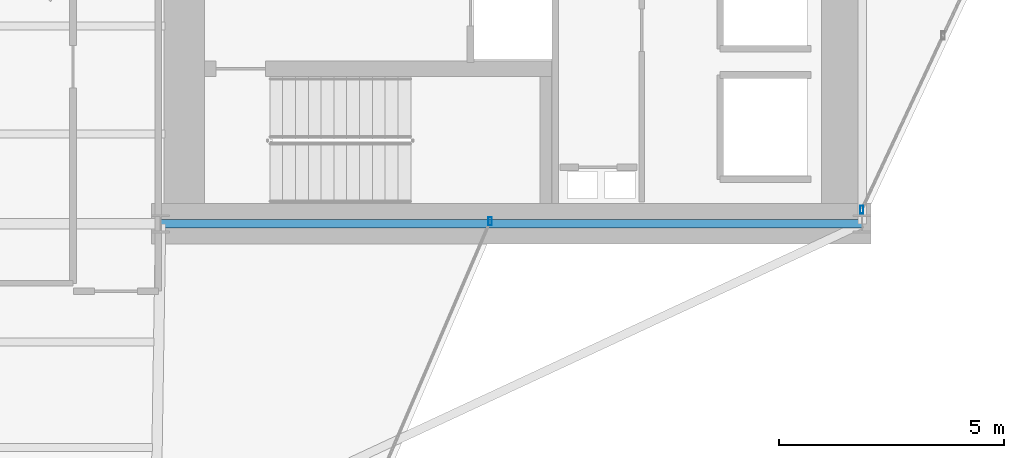
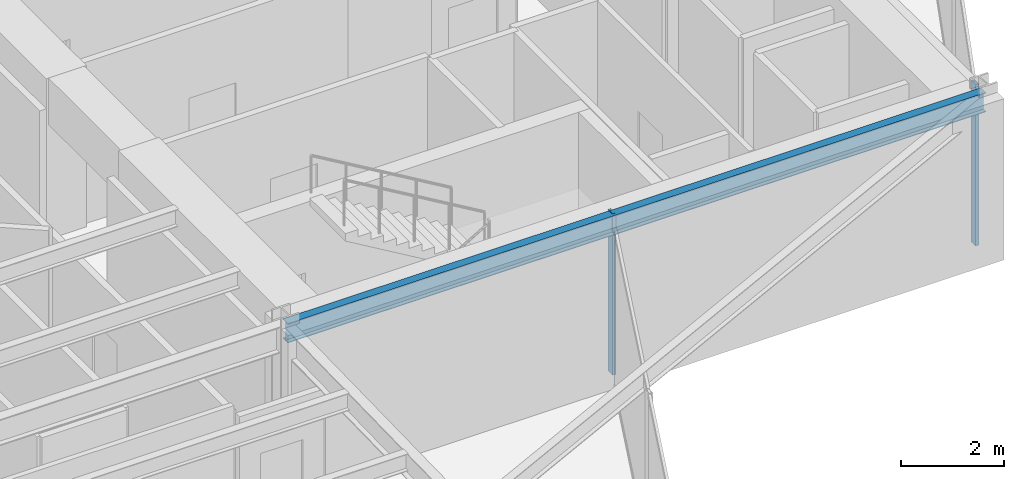
# One storey, part 13 of 27: 2 members, 1 beam, 2 elements without a shape of their own.
"""IFC4 building model written with IfcOpenShell, lengths in metres."""

from ifc_helpers import new_model, si_unit, direction, frame, origin, origin_2d, place, context, subcontext, project, spatial, hollow_rectangle, i_section, extrude, material, layer, layer_set, material_profile, profile_set, type_object, element, aggregate, save


model = new_model("IFC4")

# Units and contexts
model_context = context("Model", 3, precision=1e-05, world=origin(), true_north=direction((0.0, 1.0)))
body_context = subcontext(model_context, "Body", "Model", "MODEL_VIEW")
ifc_project = project(units=[si_unit("LENGTHUNIT", "METRE"), si_unit("AREAUNIT", "SQUARE_METRE"), si_unit("VOLUMEUNIT", "CUBIC_METRE"), si_unit("PLANEANGLEUNIT", "RADIAN"), si_unit("MASSUNIT", "GRAM", prefix="KILO")], contexts=[model_context])

# Site, building, storey
site_placement = place(None, origin())
site = spatial("IfcSite", under=ifc_project, at=site_placement, CompositionType="ELEMENT")
building_placement = place(site_placement, origin())
building = spatial("IfcBuilding", under=site, at=building_placement, Name="Veymaron Broadcast Tower", CompositionType="ELEMENT")
storey_placement = place(building_placement, frame((0.0, 0.0, 86.39990234375)))
storey = spatial("IfcBuildingStorey", under=building, at=storey_placement, Name="L19", CompositionType="ELEMENT", Elevation=86.39990234375)

# Beam
ifc_material_1 = material(Name="Structural steel ASTM A992 Gr 50", Category="steel")
ifc_material_profile_1 = material_profile(ifc_material_1, i_section(OverallWidth=0.19091796875, OverallDepth=0.4599609375, WebThickness=0.010009765625, FlangeThickness=0.01611328125, at=origin_2d()), Name="W460X82")
ifc_profile_set_1 = profile_set([ifc_material_profile_1], Name="Structural steel ASTM A992 Gr 50")
beam_type = type_object("IfcBeamType", Name="BM-SP1", PredefinedType="SPANDREL", material=ifc_profile_set_1)
beam_placement = place(storey_placement, frame((39.0, 16.0, 3.580078125), z_axis=(1.0, 0.0, 0.0), x_axis=(0.0, 1.0, 0.0)))
element("IfcBeam", 1, at=beam_placement, inside=storey, type_object=beam_type, Name="L19 primary structural floor girder", PredefinedType="SPANDREL", context=body_context, shape_type="SweptSolid", body=[
    extrude(i_section(OverallWidth=0.19091796875, OverallDepth=0.4599609375, WebThickness=0.010009765625, FlangeThickness=0.01611328125, at=origin_2d()), origin(), (0.0, 0.0, 1.0), 15.60009765625),
])

# Curtain wall, member
ifc_material_2 = material(Name="Anodised aluminium AA 6063-T6 and laminated low-E dark glass", Category="aluminium")
ifc_layer = layer(ifc_material_2, 0.179931640625)
ifc_layer_set = layer_set([ifc_layer], Name="Anodised aluminium AA 6063-T6 and laminated low-E dark glass")
curtain_wall_type = type_object("IfcCurtainWallType", Name="CW-SYS-02", PredefinedType="NOTDEFINED", material=ifc_layer_set)
curtain_wall_1_placement = place(storey_placement, origin())
curtain_wall_1 = element("IfcCurtainWall", 2, at=curtain_wall_1_placement, inside=storey, type_object=curtain_wall_type, Name="L19 dark-glass curtain wall CW-L19-E1-1", PredefinedType="NOTDEFINED")
ifc_material_3 = material(Name="Anodised aluminium AA 6063-T6", Category="aluminium")
ifc_material_profile_2 = material_profile(ifc_material_3, hollow_rectangle(XDim=0.074951171875, YDim=0.179931640625, WallThickness=0.0048828125, at=origin_2d()), Name="AL180X75X5")
ifc_profile_set_2 = profile_set([ifc_material_profile_2], Name="Anodised aluminium AA 6063-T6")
member_type = type_object("IfcMemberType", Name="CW-MUL-02", PredefinedType="MULLION", material=ifc_profile_set_2)
member_1_placement = place(storey_placement, frame((46.327880859375, 16.05517578125, 0.0), z_axis=(0.0, 0.0, 1.0), x_axis=(1.0, 0.0, 0.0)))
member_1 = element("IfcMember", 3, at=member_1_placement, type_object=member_type, Name="CW-L19-E1-1 mullion 2", PredefinedType="MULLION", context=body_context, shape_type="SweptSolid", body=[
    extrude(hollow_rectangle(XDim=0.074951171875, YDim=0.179931640625, WallThickness=0.0048828125, at=origin_2d()), origin(), (0.0, 0.0, 1.0), 3.81005859375),
])
aggregate(curtain_wall_1, [member_1])

curtain_wall_2_placement = place(storey_placement, origin())
curtain_wall_2 = element("IfcCurtainWall", 4, at=curtain_wall_2_placement, inside=storey, type_object=curtain_wall_type, Name="L19 dark-glass curtain wall CW-L19-E3-1", PredefinedType="NOTDEFINED")
member_2_placement = place(storey_placement, frame((54.59326171875, 16.316162109375, 0.0), z_axis=(0.0, 0.0, 1.0), x_axis=(1.0, 0.0, 0.0)))
member_2 = element("IfcMember", 5, at=member_2_placement, type_object=member_type, Name="CW-L19-E3-1 mullion 0", PredefinedType="MULLION", context=body_context, shape_type="SweptSolid", body=[
    extrude(hollow_rectangle(XDim=0.074951171875, YDim=0.179931640625, WallThickness=0.0048828125, at=origin_2d()), origin(), (0.0, 0.0, 1.0), 3.81005859375),
])
aggregate(curtain_wall_2, [member_2])

save(model, "model.ifc")
